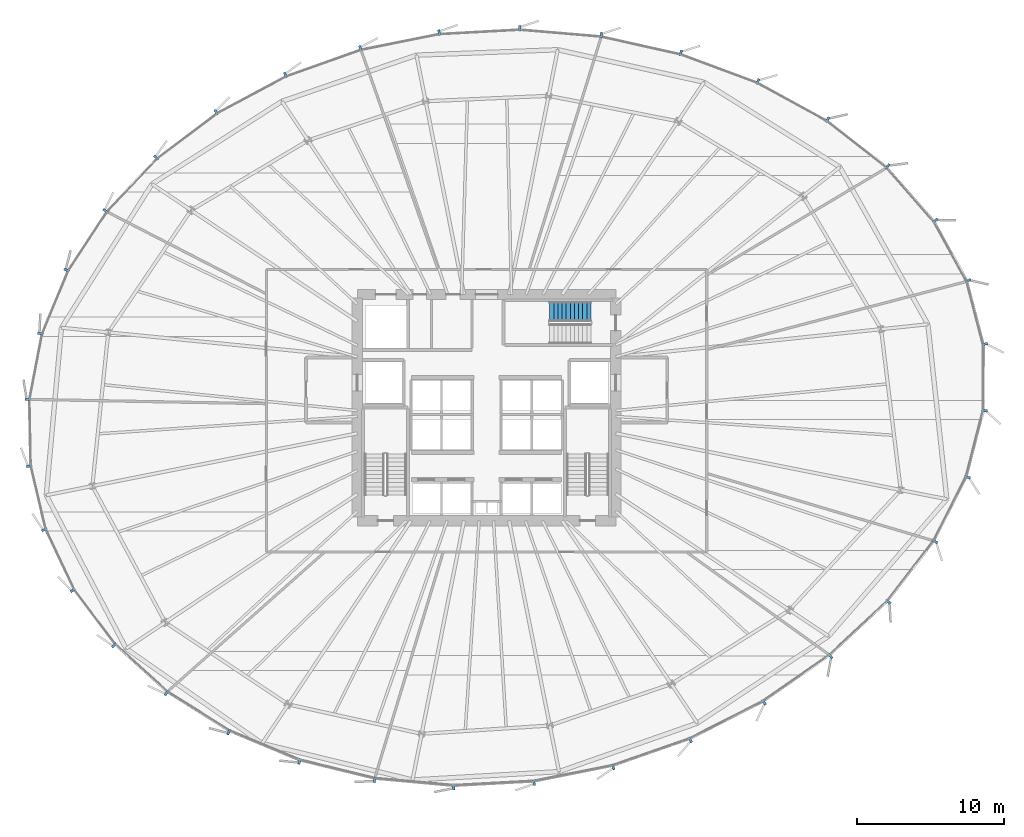
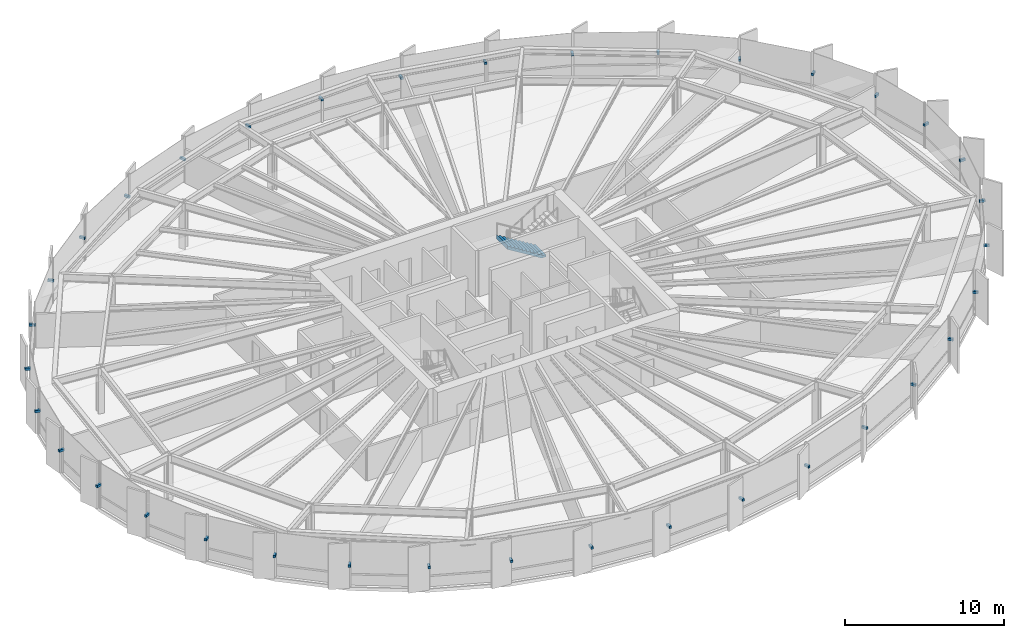
# One storey, part 32 of 37: 36 discrete accessories, 1 stair flight, 1 element without a shape of its own.
"""IFC4 building model written with IfcOpenShell, lengths in metres."""

from ifc_helpers import new_model, si_unit, direction, frame, origin, origin_2d, place, context, subcontext, project, spatial, polyline, rectangle, outline, extrude, source, transform, mapped, material, type_object, element, aggregate, save


model = new_model("IFC4")

# Units and contexts
model_context = context("Model", 3, precision=1e-05, world=origin(), true_north=direction((0.0, 1.0)))
body_context = subcontext(model_context, "Body", "Model", "MODEL_VIEW")
ifc_project = project(units=[si_unit("LENGTHUNIT", "METRE"), si_unit("AREAUNIT", "SQUARE_METRE"), si_unit("VOLUMEUNIT", "CUBIC_METRE"), si_unit("PLANEANGLEUNIT", "RADIAN"), si_unit("MASSUNIT", "GRAM", prefix="KILO"), si_unit("THERMODYNAMICTEMPERATUREUNIT", "KELVIN")], contexts=[model_context])

# Site, building, storey
site_placement = place(None, origin())
site = spatial("IfcSite", under=ifc_project, at=site_placement, CompositionType="ELEMENT")
building_placement = place(site_placement, origin())
building = spatial("IfcBuilding", under=site, at=building_placement, Name="Kethvar Cultural Tower", CompositionType="ELEMENT")
storey_placement = place(building_placement, frame((0.0, 0.0, 60.0)))
storey = spatial("IfcBuildingStorey", under=building, at=storey_placement, Name="L14", CompositionType="ELEMENT", Elevation=60.0)

# Stair, stair flight
ifc_material_1 = material(Name="Concrete C40/50", Category="concrete")
stair_type = type_object("IfcStairType", Name="ST-DOGLEG-135", PredefinedType="HALF_TURN_STAIR", material=ifc_material_1)
stair_placement = place(storey_placement, origin())
stair = element("IfcStair", 1, at=stair_placement, inside=storey, type_object=stair_type, Name="L14 Core Exit Stair 3", PredefinedType="HALF_TURN_STAIR")
stair_flight_type = type_object("IfcStairFlightType", Name="FL-STRAIGHT-135", PredefinedType="STRAIGHT", material=ifc_material_1)
stair_flight_placement = place(storey_placement, frame((53.89990234375, 34.3349609375, 0.0), z_axis=(0.0, 0.0, 1.0), x_axis=(-1.0, 0.0, 0.0)))
stair_flight = element("IfcStairFlight", 2, at=stair_flight_placement, type_object=stair_flight_type, Name="ST-03 flight 1", NumberOfRisers=11, NumberOfTreads=10, PredefinedType="STRAIGHT", RiserHeight=0.172727273, TreadLength=0.28, context=body_context, shape_type="SweptSolid", body=[
    extrude(outline(polyline([(-0.0009765625, -0.0009765625), (-0.0009765625, 0.172607421875), (0.280029296875, 0.172607421875), (0.280029296875, 0.345458984375), (0.56005859375, 0.345458984375), (0.56005859375, 0.51806640625), (0.840087890625, 0.51806640625), (0.840087890625, 0.69091796875), (1.1201171875, 0.69091796875), (1.1201171875, 0.863525390625), (1.39990234375, 0.863525390625), (1.39990234375, 1.036376953125), (1.679931640625, 1.036376953125), (1.679931640625, 1.208984375), (1.9599609375, 1.208984375), (1.9599609375, 1.3818359375), (2.239990234375, 1.3818359375), (2.239990234375, 1.554443359375), (2.52001953125, 1.554443359375), (2.52001953125, 1.727294921875), (2.800048828125, 1.727294921875), (2.800048828125, 1.89990234375), (2.801025390625, 1.89990234375), (2.801025390625, 1.551025390625), (0.285400390625, 0.0), (0.0, -0.0009765625), (-0.0009765625, -0.0009765625)])), frame((0.0, 0.675048828125, 0.0), z_axis=(0.0, -1.0, 0.0), x_axis=(1.0, 0.0, 0.0)), (0.0, 0.0, 1.0), 1.35009765625),
])
aggregate(stair, [stair_flight])

# Discrete accessories
ifc_material_2 = material(Name="Steel S355J2", Category="steel")
discrete_accessory_type = type_object("IfcDiscreteAccessoryType", Name="Steel Fin Bracket BRK-01", PredefinedType="BRACKET", material=ifc_material_2)
shared_shape = source(origin(), body_context, "Body", "SweptSolid", [
    extrude(rectangle(XDim=0.3798828125, YDim=0.159912109375, at=origin_2d()), origin(), (0.0, 0.0, 1.0), 0.179931640625),
])
for number, where, z_axis, x_axis, name in (
    (3, (80.7158203125, 32.128173828125, 1.68505859375), (0.0, 0.0, 1.0), (0.967621122723, 0.252407137104, 0.0), "L14 Terracotta Fin Bracket 1.1"),
    (4, (79.588134765625, 36.44921875, 1.68505859375), (0.0, 0.0, 1.0), (0.876390748574, 0.481600722397, 0.0), "L14 Terracotta Fin Bracket 1.2"),
    (5, (77.343505859375, 40.5341796875, 1.68505859375), (0.0, 0.0, 1.0), (0.751033703695, 0.6602638684, 0.0), "L14 Terracotta Fin Bracket 1.3"),
    (6, (74.099853515625, 44.222900390625, 1.68505859375), (0.0, 0.0, 1.0), (0.614973571877, 0.788547719477, 0.0), "L14 Terracotta Fin Bracket 1.4"),
    (7, (70.0126953125, 47.410888671875, 1.68505859375), (0.0, 0.0, 1.0), (0.480376581014, 0.877062335535, 0.0), "L14 Terracotta Fin Bracket 1.5"),
    (8, (65.26904296875, 50.0087890625, 1.68505859375), (0.0, 0.0, 1.0), (0.34906275922, 0.937099349122, 0.0), "L14 Terracotta Fin Bracket 1.6"),
    (9, (60.02880859375, 51.954833984375, 1.68505859375), (0.0, 0.0, 1.0), (0.21831356768, 0.975878673897, 0.0), "L14 Terracotta Fin Bracket 2.1"),
    (10, (54.61083984375, 53.166748046875, 1.68505859375), (0.0, 0.0, 1.0), (0.084373506139, 0.99643419826, 0.0), "L14 Terracotta Fin Bracket 2.2"),
    (11, (49.065673828125, 53.63671875, 1.68505859375), (0.0, 0.0, 1.0), (-0.054427364735, 0.998517732425, 0.0), "L14 Terracotta Fin Bracket 2.3"),
    (12, (43.5732421875, 53.336669921875, 1.68505859375), (0.0, 0.0, 1.0), (-0.195946144243, 0.980614658547, 0.0), "L14 Terracotta Fin Bracket 2.4"),
    (13, (38.213623046875, 52.265380859375, 1.68505859375), (0.0, 0.0, 1.0), (-0.335287144599, 0.942115985782, 0.0), "L14 Terracotta Fin Bracket 2.5"),
    (14, (33.11474609375, 50.450927734375, 1.68505859375), (0.0, 0.0, 1.0), (-0.471319772882, 0.881962398116, 0.0), "L14 Terracotta Fin Bracket 2.6"),
    (15, (28.398193359375, 47.922607421875, 1.68505859375), (0.0, 0.0, 1.0), (-0.602651022168, 0.798004853043, 0.0), "L14 Terracotta Fin Bracket 3.1"),
    (16, (24.306640625, 44.8330078125, 1.68505859375), (0.0, 0.0, 1.0), (-0.725854756355, 0.687848001144, 0.0), "L14 Terracotta Fin Bracket 3.2"),
    (17, (20.864990234375, 41.200439453125, 1.68505859375), (0.0, 0.0, 1.0), (-0.835807361368, 0.549022817998, 0.0), "L14 Terracotta Fin Bracket 3.3"),
    (18, (18.211181640625, 37.160400390625, 1.68505859375), (0.0, 0.0, 1.0), (-0.924346378904, 0.381554415263, 0.0), "L14 Terracotta Fin Bracket 3.4"),
    (19, (16.426025390625, 32.836181640625, 1.68505859375), (0.0, 0.0, 1.0), (-0.981958712696, 0.18909544299, 0.0), "L14 Terracotta Fin Bracket 3.5"),
    (20, (15.564208984375, 28.3583984375, 1.68505859375), (0.0, 0.0, 1.0), (-0.999812346308, -0.019371942867, 0.0), "L14 Terracotta Fin Bracket 3.6"),
    (21, (15.660888671875, 23.82275390625, 1.68505859375), (0.0, 0.0, 1.0), (-0.973219009208, -0.22987988193, 0.0), "L14 Terracotta Fin Bracket 4.1"),
    (22, (16.68505859375, 19.489013671875, 1.68505859375), (0.0, 0.0, 1.0), (-0.904082549661, -0.427357863387, 0.0), "L14 Terracotta Fin Bracket 4.2"),
    (23, (18.6337890625, 15.36669921875, 1.68505859375), (0.0, 0.0, 1.0), (-0.800417613178, -0.599442778349, 0.0), "L14 Terracotta Fin Bracket 4.3"),
    (24, (21.438720703125, 11.622314453125, 1.68505859375), (0.0, 0.0, 1.0), (-0.67301251351, -0.739631094979, 0.0), "L14 Terracotta Fin Bracket 4.4"),
    (25, (25.013671875, 8.36962890625, 1.68505859375), (0.0, 0.0, 1.0), (-0.531989852639, -0.84675072878, 0.0), "L14 Terracotta Fin Bracket 4.5"),
    (26, (29.250732421875, 5.70751953125, 1.68505859375), (0.0, 0.0, 1.0), (-0.385261895248, -0.922807277859, 0.0), "L14 Terracotta Fin Bracket 4.6"),
    (27, (34.06201171875, 3.706298828125, 1.68505859375), (0.0, 0.0, 1.0), (-0.23717726625, -0.9714663887, 0.0), "L14 Terracotta Fin Bracket 5.1"),
    (28, (39.17919921875, 2.45703125, 1.68505859375), (0.0, 0.0, 1.0), (-0.090458764201, -0.995900201817, 0.0), "L14 Terracotta Fin Bracket 5.2"),
    (29, (44.569091796875, 1.9677734375, 1.68505859375), (0.0, 0.0, 1.0), (0.054078812985, -0.998536670326, 0.0), "L14 Terracotta Fin Bracket 5.3"),
    (30, (50.026611328125, 2.26318359375, 1.68505859375), (0.0, 0.0, 1.0), (0.195603833222, -0.98068299691, 0.0), "L14 Terracotta Fin Bracket 5.4"),
    (31, (55.421142578125, 3.339111328125, 1.68505859375), (0.0, 0.0, 1.0), (0.329525865624, -0.944146547886, 0.0), "L14 Terracotta Fin Bracket 5.5"),
    (32, (60.675048828125, 5.173095703125, 1.68505859375), (0.0, 0.0, 1.0), (0.454146002799, -0.890927274328, 0.0), "L14 Terracotta Fin Bracket 5.6"),
    (33, (65.693603515625, 7.73779296875, 1.68505859375), (0.0, 0.0, 1.0), (0.571143442153, -0.820850271661, 0.0), "L14 Terracotta Fin Bracket 6.1"),
    (34, (70.213134765625, 10.8828125, 1.68505859375), (0.0, 0.0, 1.0), (0.683401200631, -0.73004301173, 0.0), "L14 Terracotta Fin Bracket 6.2"),
    (35, (74.161376953125, 14.5791015625, 1.68505859375), (0.0, 0.0, 1.0), (0.79175688964, -0.610836334633, 0.0), "L14 Terracotta Fin Bracket 6.3"),
    (36, (77.327392578125, 18.68359375, 1.68505859375), (0.0, 0.0, 1.0), (0.89163954577, -0.452745977805, 0.0), "L14 Terracotta Fin Bracket 6.4"),
    (37, (79.551513671875, 23.063720703125, 1.68505859375), (0.0, 0.0, 1.0), (0.96862655095, -0.248520833726, 0.0), "L14 Terracotta Fin Bracket 6.5"),
    (38, (80.70947265625, 27.5791015625, 1.68505859375), (0.0, 0.0, 1.0), (0.999992628267, -0.003839714919, 0.0), "L14 Terracotta Fin Bracket 6.6"),
):
    element("IfcDiscreteAccessory", number, at=place(storey_placement, frame(where, z_axis=z_axis, x_axis=x_axis)), inside=storey, type_object=discrete_accessory_type, Name=name, PredefinedType="BRACKET", context=body_context, shape_type="MappedRepresentation", body=[
        mapped(shared_shape, transform((0.0, 0.0, 0.0), scale=1.0)),
    ])

save(model, "model.ifc")
